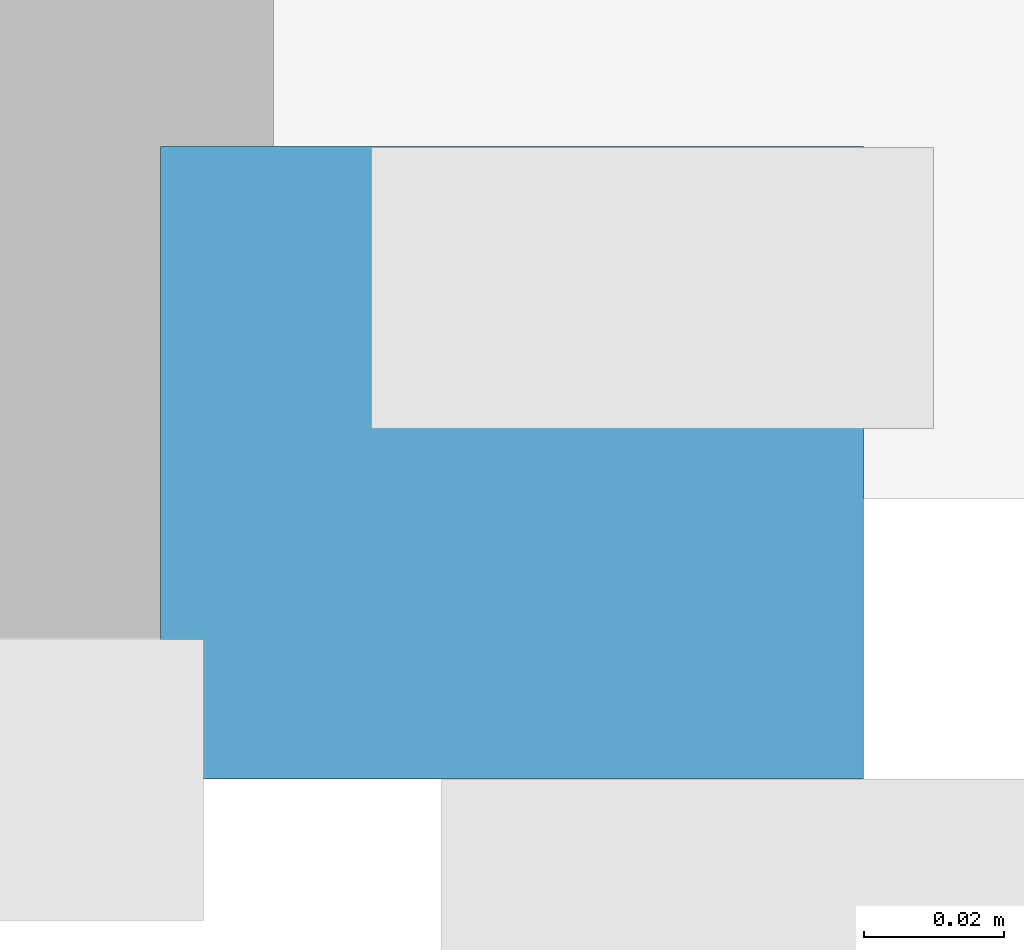
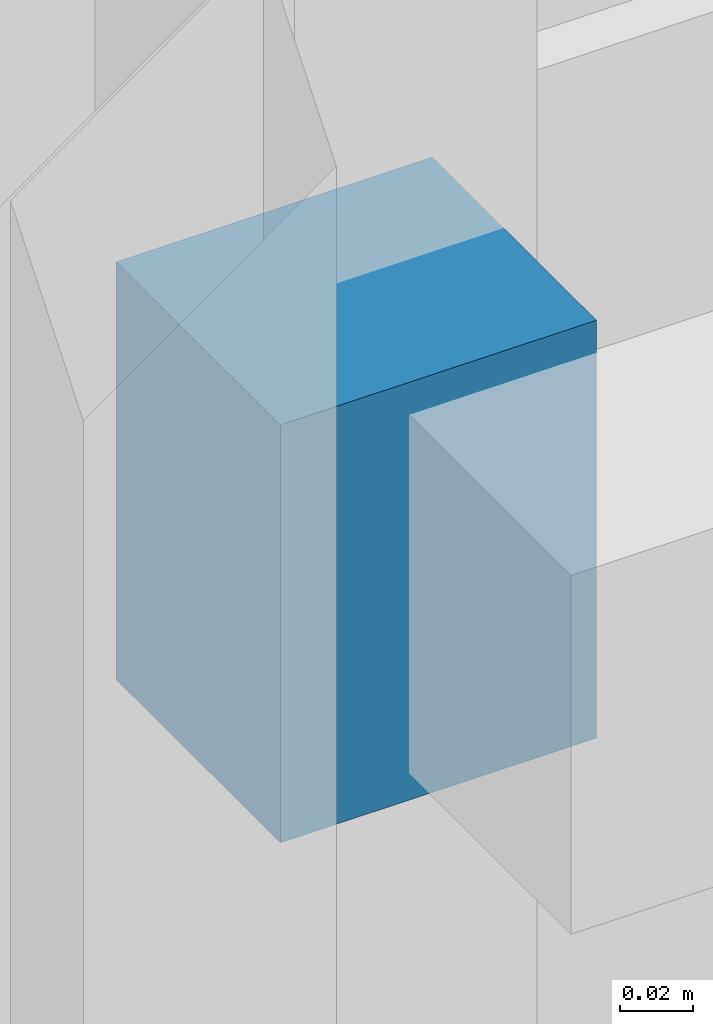
# One storey, part 15 of 29: 1 discrete accessory.
"""IFC4 building model written with IfcOpenShell, lengths in metres."""

from ifc_helpers import new_model, si_unit, direction, frame, origin, origin_2d, place, context, subcontext, project, spatial, rectangle, extrude, material, type_object, element, save


model = new_model("IFC4")

# Units and contexts
model_context = context("Model", 3, precision=1e-05, world=origin(), true_north=direction((0.0, 1.0)))
body_context = subcontext(model_context, "Body", "Model", "MODEL_VIEW")
ifc_project = project(units=[si_unit("LENGTHUNIT", "METRE"), si_unit("AREAUNIT", "SQUARE_METRE"), si_unit("VOLUMEUNIT", "CUBIC_METRE"), si_unit("PLANEANGLEUNIT", "RADIAN"), si_unit("MASSUNIT", "GRAM", prefix="KILO")], contexts=[model_context])

# Site, building, storey
site_placement = place(None, origin())
site = spatial("IfcSite", under=ifc_project, at=site_placement, CompositionType="ELEMENT")
building_placement = place(site_placement, origin())
building = spatial("IfcBuilding", under=site, at=building_placement, Name="Telukmera Botanical Conservatory", CompositionType="ELEMENT")
storey_placement = place(building_placement, frame((0.0, 0.0, 55.5)))
storey = spatial("IfcBuildingStorey", under=building, at=storey_placement, Name="L12", CompositionType="ELEMENT", Elevation=55.5)

# Discrete accessory
ifc_material = material(Name="Steel S355", Category="steel")
discrete_accessory_type = type_object("IfcDiscreteAccessoryType", Name="Structural Steel Facade Outrigger Fin Bracket", PredefinedType="BRACKET", material=ifc_material)
discrete_accessory_placement = place(storey_placement, frame((84.031982421875, 9.205078125, 0.8798828125), z_axis=(0.0, 0.0, 1.0), x_axis=(1.0, 0.0, 0.0)))
element("IfcDiscreteAccessory", 1, at=discrete_accessory_placement, inside=storey, type_object=discrete_accessory_type, Name="Facade Outrigger Bracket V4:L12:S4 A", PredefinedType="BRACKET", context=body_context, shape_type="SweptSolid", body=[
    extrude(rectangle(XDim=0.10009765625, YDim=0.090087890625, at=origin_2d()), origin(), (0.0, 0.0, 1.0), 0.139892578125),
])

save(model, "model.ifc")
